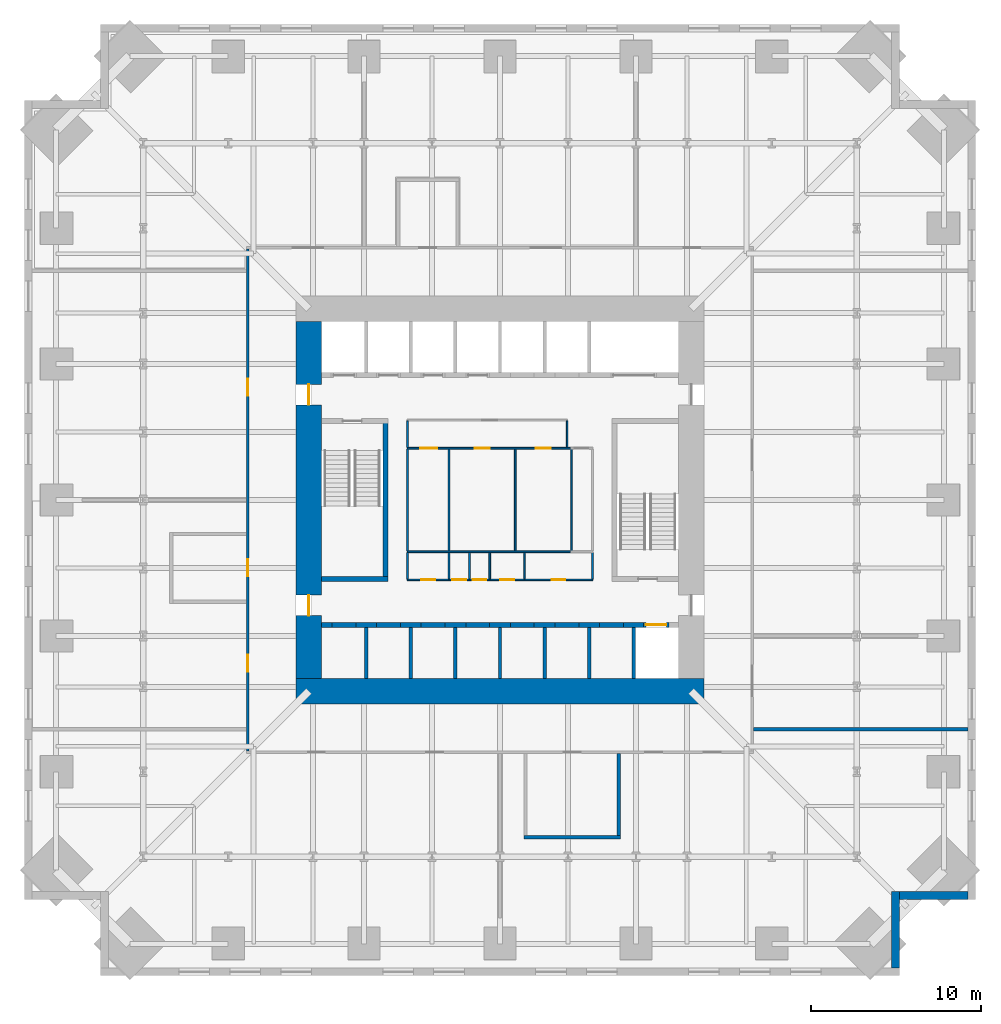
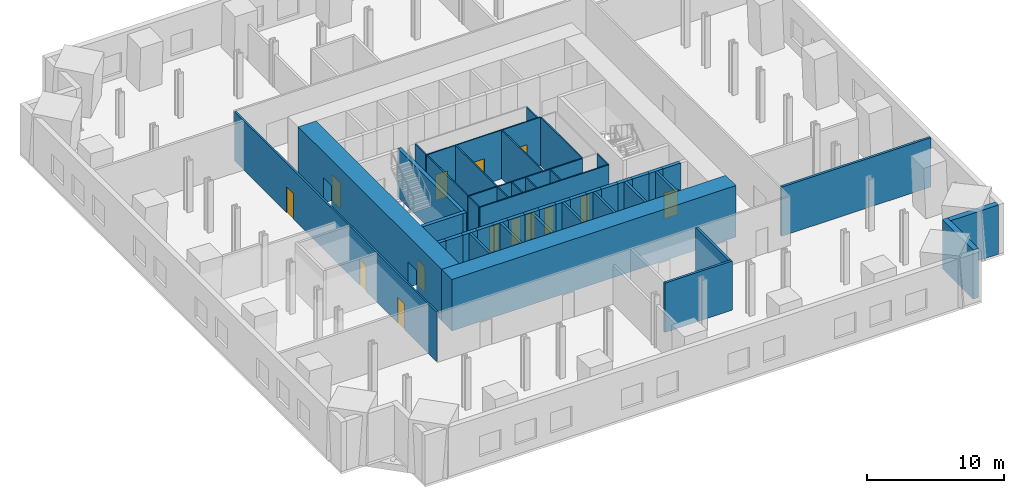
# One storey, part 4 of 8: 48 walls, 14 doors, 14 openings.
"""IFC4 building model written with IfcOpenShell, lengths in metres."""

from ifc_helpers import new_model, si_unit, direction, frame, frame_2d, origin, place, context, subcontext, project, spatial, rectangle, extrude, material, layer, layer_set, type_object, element, fill, save


model = new_model("IFC4")

# Units and contexts
model_context = context("Model", 3, precision=1e-05, world=origin(), true_north=direction((0.0, 1.0)))
body_context = subcontext(model_context, "Body", "Model", "MODEL_VIEW")
ifc_project = project(units=[si_unit("LENGTHUNIT", "METRE"), si_unit("AREAUNIT", "SQUARE_METRE"), si_unit("VOLUMEUNIT", "CUBIC_METRE"), si_unit("PLANEANGLEUNIT", "RADIAN"), si_unit("MASSUNIT", "GRAM", prefix="KILO")], contexts=[model_context])

# Site, building, storey
site_placement = place(None, origin())
site = spatial("IfcSite", under=ifc_project, at=site_placement, CompositionType="ELEMENT")
building_placement = place(site_placement, origin())
building = spatial("IfcBuilding", under=site, at=building_placement, Name="Peilmerk Tower", CompositionType="ELEMENT")
storey_placement = place(building_placement, frame((0.0, 0.0, 118.199951171875)))
storey = spatial("IfcBuildingStorey", under=building, at=storey_placement, Name="L23", CompositionType="ELEMENT", Elevation=118.199951171875)

# Walls
ifc_material_1 = material(Name="Precast concrete C45/55, board-marked finish", Category="concrete")
ifc_layer_1 = layer(ifc_material_1, 0.449951171875)
ifc_layer_set_1 = layer_set([ifc_layer_1], Name="Precast concrete C45/55, board-marked finish")
wall_type_1 = type_object("IfcWallType", Name="EW1 450 precast concrete facade wall, board-marked", PredefinedType="SOLIDWALL", material=ifc_layer_set_1)
wall_1_placement = place(storey_placement, frame((23.27490234375, -23.050048828125, 0.0), z_axis=(0.0, 0.0, 1.0), x_axis=(0.0, -1.0, 0.0)))
element("IfcWall", 1, at=wall_1_placement, inside=storey, type_object=wall_type_1, Name="Facade wall SEA L23", PredefinedType="SOLIDWALL", context=body_context, shape_type="SweptSolid", body=[
    extrude(rectangle(XDim=4.5, YDim=0.449951171875, at=frame_2d((2.25, 0.0))), origin(), (0.0, 0.0, 1.0), 4.400146484375),
])
wall_2_placement = place(storey_placement, frame((23.5, -23.27490234375, 0.0), z_axis=(0.0, 0.0, 1.0), x_axis=(1.0, 0.0, 0.0)))
element("IfcWall", 2, at=wall_2_placement, inside=storey, type_object=wall_type_1, Name="Facade wall SEB L23", PredefinedType="SOLIDWALL", context=body_context, shape_type="SweptSolid", body=[
    extrude(rectangle(XDim=4.050048828125, YDim=0.449951171875, at=frame_2d((2.02490234375, 0.0))), origin(), (0.0, 0.0, 1.0), 4.400146484375),
])

# Wall, openings, doors
ifc_material_2 = material(Name="Calcium silicate block", Category="masonry")
ifc_layer_2 = layer(ifc_material_2, 0.14990234375)
ifc_layer_set_2 = layer_set([ifc_layer_2], Name="Calcium silicate block")
wall_type_2 = type_object("IfcWallType", Name="IW1 150 corridor partition, EI 60", PredefinedType="PARTITIONING", material=ifc_layer_set_2)
wall_3_placement = place(storey_placement, frame((-14.85009765625, 14.77490234375, 0.0), z_axis=(0.0, 0.0, 1.0), x_axis=(0.0, -1.0, 0.0)))
wall_3 = element("IfcWall", 3, at=wall_3_placement, inside=storey, type_object=wall_type_2, Name="Corridor wall W L23", PredefinedType="PARTITIONING", context=body_context, shape_type="SweptSolid", body=[
    extrude(rectangle(XDim=29.5498046875, YDim=0.14990234375, at=frame_2d((14.77490234375, 0.0))), origin(), (0.0, 0.0, 1.0), 4.400146484375),
])
opening_1_placement = place(wall_3_placement, frame((23.875, 0.0, 0.0)))
opening_1 = element("IfcOpeningElement", 4, at=opening_1_placement, cuts=wall_3, Name="Opening D1", PredefinedType="OPENING", context=body_context, shape_type="SweptSolid", body=[
    extrude(rectangle(XDim=1.0, YDim=2.300048828125, at=frame_2d((0.5, 1.14990234375))), frame((0.0, 0.0849609375, 0.0), z_axis=(0.0, -1.0, 0.0), x_axis=(1.0, 0.0, 0.0)), (0.0, 0.0, 1.0), 0.169921875),
])
opening_2_placement = place(wall_3_placement, frame((7.625, 0.0, 0.0)))
opening_2 = element("IfcOpeningElement", 5, at=opening_2_placement, cuts=wall_3, Name="Opening D1", PredefinedType="OPENING", context=body_context, shape_type="SweptSolid", body=[
    extrude(rectangle(XDim=1.0, YDim=2.300048828125, at=frame_2d((0.5, 1.14990234375))), frame((0.0, 0.0849609375, 0.0), z_axis=(0.0, -1.0, 0.0), x_axis=(1.0, 0.0, 0.0)), (0.0, 0.0, 1.0), 0.169921875),
])
opening_3_placement = place(wall_3_placement, frame((18.27490234375, 0.0, 0.0)))
opening_3 = element("IfcOpeningElement", 6, at=opening_3_placement, cuts=wall_3, Name="Opening D1", PredefinedType="OPENING", context=body_context, shape_type="SweptSolid", body=[
    extrude(rectangle(XDim=1.0, YDim=2.300048828125, at=frame_2d((0.5, 1.14990234375))), frame((0.0, 0.0849609375, 0.0), z_axis=(0.0, -1.0, 0.0), x_axis=(1.0, 0.0, 0.0)), (0.0, 0.0, 1.0), 0.169921875),
])
ifc_material_3 = material(Name="Timber door in steel frame", Category="steel")
door_type_1 = type_object("IfcDoorType", Name="D1 1000x2300 room door, EI2 30", OperationType="SINGLE_SWING_LEFT", PredefinedType="DOOR", material=ifc_material_3)
door_1_placement = place(opening_1_placement, frame((1.0, 0.0, 0.0), z_axis=(0.0, 0.0, 1.0), x_axis=(-1.0, 0.0, 0.0)))
door_1 = element("IfcDoor", 7, at=door_1_placement, inside=storey, type_object=door_type_1, Name="Door Engineering office L23", OperationType="SINGLE_SWING_LEFT", OverallHeight=2.300048828125, OverallWidth=1.0, PredefinedType="DOOR", context=body_context, shape_type="SweptSolid", body=[
    extrude(rectangle(XDim=1.0, YDim=2.300048828125, at=frame_2d((0.5, 1.14990234375))), frame((0.0, 0.02490234375, 0.0), z_axis=(0.0, -1.0, 0.0), x_axis=(1.0, 0.0, 0.0)), (0.0, 0.0, 1.0), 0.050048828125),
])
fill(opening_1, door_1)
door_2_placement = place(opening_2_placement, frame((1.0, 0.0, 0.0), z_axis=(0.0, 0.0, 1.0), x_axis=(-1.0, 0.0, 0.0)))
door_2 = element("IfcDoor", 8, at=door_2_placement, inside=storey, type_object=door_type_1, Name="Door Repair workshop L23", OperationType="SINGLE_SWING_LEFT", OverallHeight=2.300048828125, OverallWidth=1.0, PredefinedType="DOOR", context=body_context, shape_type="SweptSolid", body=[
    extrude(rectangle(XDim=1.0, YDim=2.300048828125, at=frame_2d((0.5, 1.14990234375))), frame((0.0, 0.02490234375, 0.0), z_axis=(0.0, -1.0, 0.0), x_axis=(1.0, 0.0, 0.0)), (0.0, 0.0, 1.0), 0.050048828125),
])
fill(opening_2, door_2)
door_3_placement = place(opening_3_placement, frame((1.0, 0.0, 0.0), z_axis=(0.0, 0.0, 1.0), x_axis=(-1.0, 0.0, 0.0)))
door_3 = element("IfcDoor", 9, at=door_3_placement, inside=storey, type_object=door_type_1, Name="Door Meeting room L23", OperationType="SINGLE_SWING_LEFT", OverallHeight=2.300048828125, OverallWidth=1.0, PredefinedType="DOOR", context=body_context, shape_type="SweptSolid", body=[
    extrude(rectangle(XDim=1.0, YDim=2.300048828125, at=frame_2d((0.5, 1.14990234375))), frame((0.0, 0.02490234375, 0.0), z_axis=(0.0, -1.0, 0.0), x_axis=(1.0, 0.0, 0.0)), (0.0, 0.0, 1.0), 0.050048828125),
])
fill(opening_3, door_3)

# Walls
ifc_layer_3 = layer(ifc_material_2, 0.199951171875)
ifc_layer_set_3 = layer_set([ifc_layer_3], Name="Calcium silicate block")
wall_type_3 = type_object("IfcWallType", Name="IW2 200 room separating wall, EI 120", PredefinedType="PARTITIONING", material=ifc_layer_set_3)
wall_4_placement = place(storey_placement, frame((27.550048828125, -13.5, 0.0), z_axis=(0.0, 0.0, 1.0), x_axis=(-1.0, 0.0, 0.0)))
element("IfcWall", 10, at=wall_4_placement, inside=storey, type_object=wall_type_3, Name="Room separating wall SE L23", PredefinedType="PARTITIONING", context=body_context, shape_type="SweptSolid", body=[
    extrude(rectangle(XDim=12.625, YDim=0.199951171875, at=frame_2d((6.3125, 0.0))), origin(), (0.0, 0.0, 1.0), 4.400146484375),
])
wall_5_placement = place(storey_placement, frame((1.39990234375, -19.85009765625, 0.0), z_axis=(0.0, 0.0, 1.0), x_axis=(1.0, 0.0, 0.0)))
element("IfcWall", 11, at=wall_5_placement, inside=storey, type_object=wall_type_3, Name="Room separating wall Operations office L23", PredefinedType="PARTITIONING", context=body_context, shape_type="SweptSolid", body=[
    extrude(rectangle(XDim=5.7001953125, YDim=0.199951171875, at=frame_2d((2.85009765625, 0.0))), origin(), (0.0, 0.0, 1.0), 4.400146484375),
])
wall_6_placement = place(storey_placement, frame((7.0, -14.925048828125, 0.0), z_axis=(0.0, 0.0, 1.0), x_axis=(0.0, -1.0, 0.0)))
element("IfcWall", 12, at=wall_6_placement, inside=storey, type_object=wall_type_3, Name="Room separating wall Operations office L23", PredefinedType="PARTITIONING", context=body_context, shape_type="SweptSolid", body=[
    extrude(rectangle(XDim=4.824951171875, YDim=0.199951171875, at=frame_2d((2.41259765625, 0.0))), origin(), (0.0, 0.0, 1.0), 4.400146484375),
])
ifc_material_4 = material(Name="Concrete C35/45", Category="concrete")
ifc_layer_4 = layer(ifc_material_4, 0.300048828125)
ifc_layer_set_4 = layer_set([ifc_layer_4], Name="Concrete C35/45")
wall_type_4 = type_object("IfcWallType", Name="IW3 300 concrete stair enclosure wall, EI 120", PredefinedType="SOLIDWALL", material=ifc_layer_set_4)
wall_7_placement = place(storey_placement, frame((-6.75, -4.800048828125, 0.0), z_axis=(0.0, 0.0, 1.0), x_axis=(0.0, 1.0, 0.0)))
element("IfcWall", 13, at=wall_7_placement, inside=storey, type_object=wall_type_4, Name="Stair 1 enclosure L23", PredefinedType="SOLIDWALL", context=body_context, shape_type="SweptSolid", body=[
    extrude(rectangle(XDim=9.60009765625, YDim=0.300048828125, at=frame_2d((4.800048828125, 0.0))), origin(), (0.0, 0.0, 1.0), 4.35009765625),
])
wall_8_placement = place(storey_placement, frame((-6.60009765625, -4.64990234375, 0.0), z_axis=(0.0, 0.0, 1.0), x_axis=(-1.0, 0.0, 0.0)))
element("IfcWall", 14, at=wall_8_placement, inside=storey, type_object=wall_type_4, Name="Stair 1 enclosure L23", PredefinedType="SOLIDWALL", context=body_context, shape_type="SweptSolid", body=[
    extrude(rectangle(XDim=3.89990234375, YDim=0.300048828125, at=frame_2d((1.949951171875, 0.0))), origin(), (0.0, 0.0, 1.0), 4.35009765625),
])

# Wall, openings, doors
ifc_material_5 = material(Name="Plasterboard on steel studs", Category="steel")
ifc_layer_5 = layer(ifc_material_5, 0.10009765625)
ifc_layer_set_5 = layer_set([ifc_layer_5], Name="Plasterboard on steel studs")
wall_type_5 = type_object("IfcWallType", Name="IW4 100 WC partition", PredefinedType="PARTITIONING", material=ifc_layer_set_5)
wall_9_placement = place(storey_placement, frame((-5.449951171875, 3.050048828125, 0.0), z_axis=(0.0, 0.0, 1.0), x_axis=(1.0, 0.0, 0.0)))
wall_9 = element("IfcWall", 15, at=wall_9_placement, inside=storey, type_object=wall_type_5, Name="WC wall L23", PredefinedType="PARTITIONING", context=body_context, shape_type="SweptSolid", body=[
    extrude(rectangle(XDim=9.599853515625, YDim=0.10009765625, at=frame_2d((4.7998046875, 0.0))), origin(), (0.0, 0.0, 1.0), 4.35009765625),
])
opening_4_placement = place(wall_9_placement, frame((0.75, 0.0, 0.0)))
opening_4 = element("IfcOpeningElement", 16, at=opening_4_placement, cuts=wall_9, Name="Opening D6", PredefinedType="OPENING", context=body_context, shape_type="SweptSolid", body=[
    extrude(rectangle(XDim=1.0, YDim=2.300048828125, at=frame_2d((0.5, 1.14990234375))), frame((0.0, 0.06005859375, 0.0), z_axis=(0.0, -1.0, 0.0), x_axis=(1.0, 0.0, 0.0)), (0.0, 0.0, 1.0), 0.1201171875),
])
opening_5_placement = place(wall_9_placement, frame((3.949951171875, 0.0, 0.0)))
opening_5 = element("IfcOpeningElement", 17, at=opening_5_placement, cuts=wall_9, Name="Opening D5", PredefinedType="OPENING", context=body_context, shape_type="SweptSolid", body=[
    extrude(rectangle(XDim=0.89990234375, YDim=2.300048828125, at=frame_2d((0.449951171875, 1.14990234375))), frame((0.0, 0.06005859375, 0.0), z_axis=(0.0, -1.0, 0.0), x_axis=(1.0, 0.0, 0.0)), (0.0, 0.0, 1.0), 0.1201171875),
])
opening_6_placement = place(wall_9_placement, frame((7.550048828125, 0.0, 0.0)))
opening_6 = element("IfcOpeningElement", 18, at=opening_6_placement, cuts=wall_9, Name="Opening D5", PredefinedType="OPENING", context=body_context, shape_type="SweptSolid", body=[
    extrude(rectangle(XDim=0.89990234375, YDim=2.300048828125, at=frame_2d((0.449951171875, 1.14990234375))), frame((0.0, 0.06005859375, 0.0), z_axis=(0.0, -1.0, 0.0), x_axis=(1.0, 0.0, 0.0)), (0.0, 0.0, 1.0), 0.1201171875),
])
door_type_2 = type_object("IfcDoorType", Name="D5 900x2300 WC door", OperationType="SINGLE_SWING_LEFT", PredefinedType="DOOR", material=ifc_material_3)
door_4_placement = place(opening_5_placement, frame((0.89990234375, 0.0, 0.0), z_axis=(0.0, 0.0, 1.0), x_axis=(-1.0, 0.0, 0.0)))
door_4 = element("IfcDoor", 19, at=door_4_placement, inside=storey, type_object=door_type_2, Name="Female toilets door L23", OperationType="SINGLE_SWING_LEFT", OverallHeight=2.300048828125, OverallWidth=0.89990234375, PredefinedType="DOOR", context=body_context, shape_type="SweptSolid", body=[
    extrude(rectangle(XDim=0.89990234375, YDim=2.300048828125, at=frame_2d((0.449951171875, 1.14990234375))), frame((0.0, 0.02490234375, 0.0), z_axis=(0.0, -1.0, 0.0), x_axis=(1.0, 0.0, 0.0)), (0.0, 0.0, 1.0), 0.050048828125),
])
fill(opening_5, door_4)
door_5_placement = place(opening_6_placement, frame((0.89990234375, 0.0, 0.0), z_axis=(0.0, 0.0, 1.0), x_axis=(-1.0, 0.0, 0.0)))
door_5 = element("IfcDoor", 20, at=door_5_placement, inside=storey, type_object=door_type_2, Name="Male toilets door L23", OperationType="SINGLE_SWING_LEFT", OverallHeight=2.300048828125, OverallWidth=0.89990234375, PredefinedType="DOOR", context=body_context, shape_type="SweptSolid", body=[
    extrude(rectangle(XDim=0.89990234375, YDim=2.300048828125, at=frame_2d((0.449951171875, 1.14990234375))), frame((0.0, 0.02490234375, 0.0), z_axis=(0.0, -1.0, 0.0), x_axis=(1.0, 0.0, 0.0)), (0.0, 0.0, 1.0), 0.050048828125),
])
fill(opening_6, door_5)
door_type_3 = type_object("IfcDoorType", Name="D6 1000x2300 accessible WC door", OperationType="SLIDING_TO_LEFT", PredefinedType="DOOR", material=ifc_material_3)
door_6_placement = place(opening_4_placement, frame((1.0, 0.0, 0.0), z_axis=(0.0, 0.0, 1.0), x_axis=(-1.0, 0.0, 0.0)))
door_6 = element("IfcDoor", 21, at=door_6_placement, inside=storey, type_object=door_type_3, Name="Accessible WC door L23", OperationType="SLIDING_TO_LEFT", OverallHeight=2.300048828125, OverallWidth=1.0, PredefinedType="DOOR", context=body_context, shape_type="SweptSolid", body=[
    extrude(rectangle(XDim=1.0, YDim=2.300048828125, at=frame_2d((0.5, 1.14990234375))), frame((0.0, 0.02490234375, 0.0), z_axis=(0.0, -1.0, 0.0), x_axis=(1.0, 0.0, 0.0)), (0.0, 0.0, 1.0), 0.050048828125),
])
fill(opening_4, door_6)

# Walls
wall_10_placement = place(storey_placement, frame((4.14990234375, -3.050048828125, 0.0), z_axis=(0.0, 0.0, 1.0), x_axis=(-1.0, 0.0, 0.0)))
element("IfcWall", 22, at=wall_10_placement, inside=storey, type_object=wall_type_5, Name="WC wall L23", PredefinedType="PARTITIONING", context=body_context, shape_type="SweptSolid", body=[
    extrude(rectangle(XDim=9.599853515625, YDim=0.10009765625, at=frame_2d((4.7998046875, 0.0))), origin(), (0.0, 0.0, 1.0), 4.35009765625),
])
for number, where, z_axis, x_axis, name in (
    (23, (-5.449951171875, -3.0, 0.0), (0.0, 0.0, 1.0), (0.0, 1.0, 0.0), "WC wall L23"),
    (24, (-3.0, -3.0, 0.0), (0.0, 0.0, 1.0), (0.0, 1.0, 0.0), "WC wall L23"),
    (25, (0.89990234375, -3.0, 0.0), (0.0, 0.0, 1.0), (0.0, 1.0, 0.0), "WC wall L23"),
):
    element("IfcWall", number, at=place(storey_placement, frame(where, z_axis=z_axis, x_axis=x_axis)), inside=storey, type_object=wall_type_5, Name=name, PredefinedType="PARTITIONING", context=body_context, shape_type="SweptSolid", body=[
        extrude(rectangle(XDim=6.0, YDim=0.10009765625, at=frame_2d((3.0, 0.0))), origin(), (0.0, 0.0, 1.0), 4.35009765625),
    ])
ifc_material_6 = material(Name="Calcium silicate board on steel studs", Category="steel")
ifc_layer_6 = layer(ifc_material_6, 0.10009765625)
ifc_layer_set_6 = layer_set([ifc_layer_6], Name="Calcium silicate board on steel studs")
wall_type_6 = type_object("IfcWallType", Name="IW5 100 riser enclosure wall, EI 60", PredefinedType="PARTITIONING", material=ifc_layer_set_6)
wall_11_placement = place(storey_placement, frame((4.199951171875, -3.0, 0.0), z_axis=(0.0, 0.0, 1.0), x_axis=(0.0, 1.0, 0.0)))
element("IfcWall", 26, at=wall_11_placement, inside=storey, type_object=wall_type_6, Name="Riser wall L23", PredefinedType="PARTITIONING", context=body_context, shape_type="SweptSolid", body=[
    extrude(rectangle(XDim=6.0, YDim=0.10009765625, at=frame_2d((3.0, 0.0))), origin(), (0.0, 0.0, 1.0), 4.35009765625),
])

# Wall, openings, doors
wall_12_placement = place(storey_placement, frame((5.449951171875, -4.699951171875, 0.0), z_axis=(0.0, 0.0, 1.0), x_axis=(-1.0, 0.0, 0.0)))
wall_12 = element("IfcWall", 27, at=wall_12_placement, inside=storey, type_object=wall_type_6, Name="Riser wall L23", PredefinedType="PARTITIONING", context=body_context, shape_type="SweptSolid", body=[
    extrude(rectangle(XDim=10.89990234375, YDim=0.10009765625, at=frame_2d((5.449951171875, 0.0))), origin(), (0.0, 0.0, 1.0), 4.35009765625),
])
opening_7_placement = place(wall_12_placement, frame((9.27490234375, 0.0, 0.0)))
opening_7 = element("IfcOpeningElement", 28, at=opening_7_placement, cuts=wall_12, Name="Opening D7", PredefinedType="OPENING", context=body_context, shape_type="SweptSolid", body=[
    extrude(rectangle(XDim=0.800048828125, YDim=2.300048828125, at=frame_2d((0.39990234375, 1.14990234375))), frame((0.0, 0.06005859375, 0.0), z_axis=(0.0, -1.0, 0.0), x_axis=(1.0, 0.0, 0.0)), (0.0, 0.0, 1.0), 0.1201171875),
])
opening_8_placement = place(wall_12_placement, frame((7.449951171875, 0.0, 0.0)))
opening_8 = element("IfcOpeningElement", 29, at=opening_8_placement, cuts=wall_12, Name="Opening D7", PredefinedType="OPENING", context=body_context, shape_type="SweptSolid", body=[
    extrude(rectangle(XDim=0.800048828125, YDim=2.300048828125, at=frame_2d((0.39990234375, 1.14990234375))), frame((0.0, 0.06005859375, 0.0), z_axis=(0.0, -1.0, 0.0), x_axis=(1.0, 0.0, 0.0)), (0.0, 0.0, 1.0), 0.1201171875),
])
opening_9_placement = place(wall_12_placement, frame((6.25, 0.0, 0.0)))
opening_9 = element("IfcOpeningElement", 30, at=opening_9_placement, cuts=wall_12, Name="Opening D7", PredefinedType="OPENING", context=body_context, shape_type="SweptSolid", body=[
    extrude(rectangle(XDim=0.800048828125, YDim=2.300048828125, at=frame_2d((0.39990234375, 1.14990234375))), frame((0.0, 0.06005859375, 0.0), z_axis=(0.0, -1.0, 0.0), x_axis=(1.0, 0.0, 0.0)), (0.0, 0.0, 1.0), 0.1201171875),
])
opening_10_placement = place(wall_12_placement, frame((4.625, 0.0, 0.0)))
opening_10 = element("IfcOpeningElement", 31, at=opening_10_placement, cuts=wall_12, Name="Opening D7", PredefinedType="OPENING", context=body_context, shape_type="SweptSolid", body=[
    extrude(rectangle(XDim=0.800048828125, YDim=2.300048828125, at=frame_2d((0.39990234375, 1.14990234375))), frame((0.0, 0.06005859375, 0.0), z_axis=(0.0, -1.0, 0.0), x_axis=(1.0, 0.0, 0.0)), (0.0, 0.0, 1.0), 0.1201171875),
])
opening_11_placement = place(wall_12_placement, frame((1.60009765625, 0.0, 0.0)))
opening_11 = element("IfcOpeningElement", 32, at=opening_11_placement, cuts=wall_12, Name="Opening D7", PredefinedType="OPENING", context=body_context, shape_type="SweptSolid", body=[
    extrude(rectangle(XDim=0.800048828125, YDim=2.300048828125, at=frame_2d((0.39990234375, 1.14990234375))), frame((0.0, 0.06005859375, 0.0), z_axis=(0.0, -1.0, 0.0), x_axis=(1.0, 0.0, 0.0)), (0.0, 0.0, 1.0), 0.1201171875),
])
ifc_material_7 = material(Name="Steel door in steel frame", Category="steel")
door_type_4 = type_object("IfcDoorType", Name="D7 800x2300 riser access door, EI2 60", OperationType="SINGLE_SWING_RIGHT", PredefinedType="DOOR", material=ifc_material_7)
door_7_placement = place(opening_7_placement, frame((0.800048828125, 0.0, 0.0), z_axis=(0.0, 0.0, 1.0), x_axis=(-1.0, 0.0, 0.0)))
door_7 = element("IfcDoor", 33, at=door_7_placement, inside=storey, type_object=door_type_4, Name="Cleaner's cupboard door L23", OperationType="SINGLE_SWING_RIGHT", OverallHeight=2.300048828125, OverallWidth=0.800048828125, PredefinedType="DOOR", context=body_context, shape_type="SweptSolid", body=[
    extrude(rectangle(XDim=0.800048828125, YDim=2.300048828125, at=frame_2d((0.39990234375, 1.14990234375))), frame((0.0, 0.02490234375, 0.0), z_axis=(0.0, -1.0, 0.0), x_axis=(1.0, 0.0, 0.0)), (0.0, 0.0, 1.0), 0.050048828125),
])
fill(opening_7, door_7)
door_8_placement = place(opening_8_placement, frame((0.800048828125, 0.0, 0.0), z_axis=(0.0, 0.0, 1.0), x_axis=(-1.0, 0.0, 0.0)))
door_8 = element("IfcDoor", 34, at=door_8_placement, inside=storey, type_object=door_type_4, Name="Electrical riser door L23", OperationType="SINGLE_SWING_RIGHT", OverallHeight=2.300048828125, OverallWidth=0.800048828125, PredefinedType="DOOR", context=body_context, shape_type="SweptSolid", body=[
    extrude(rectangle(XDim=0.800048828125, YDim=2.300048828125, at=frame_2d((0.39990234375, 1.14990234375))), frame((0.0, 0.02490234375, 0.0), z_axis=(0.0, -1.0, 0.0), x_axis=(1.0, 0.0, 0.0)), (0.0, 0.0, 1.0), 0.050048828125),
])
fill(opening_8, door_8)
door_9_placement = place(opening_9_placement, frame((0.800048828125, 0.0, 0.0), z_axis=(0.0, 0.0, 1.0), x_axis=(-1.0, 0.0, 0.0)))
door_9 = element("IfcDoor", 35, at=door_9_placement, inside=storey, type_object=door_type_4, Name="Data riser door L23", OperationType="SINGLE_SWING_RIGHT", OverallHeight=2.300048828125, OverallWidth=0.800048828125, PredefinedType="DOOR", context=body_context, shape_type="SweptSolid", body=[
    extrude(rectangle(XDim=0.800048828125, YDim=2.300048828125, at=frame_2d((0.39990234375, 1.14990234375))), frame((0.0, 0.02490234375, 0.0), z_axis=(0.0, -1.0, 0.0), x_axis=(1.0, 0.0, 0.0)), (0.0, 0.0, 1.0), 0.050048828125),
])
fill(opening_9, door_9)
door_10_placement = place(opening_10_placement, frame((0.800048828125, 0.0, 0.0), z_axis=(0.0, 0.0, 1.0), x_axis=(-1.0, 0.0, 0.0)))
door_10 = element("IfcDoor", 36, at=door_10_placement, inside=storey, type_object=door_type_4, Name="Electrical room door L23", OperationType="SINGLE_SWING_RIGHT", OverallHeight=2.300048828125, OverallWidth=0.800048828125, PredefinedType="DOOR", context=body_context, shape_type="SweptSolid", body=[
    extrude(rectangle(XDim=0.800048828125, YDim=2.300048828125, at=frame_2d((0.39990234375, 1.14990234375))), frame((0.0, 0.02490234375, 0.0), z_axis=(0.0, -1.0, 0.0), x_axis=(1.0, 0.0, 0.0)), (0.0, 0.0, 1.0), 0.050048828125),
])
fill(opening_10, door_10)
door_11_placement = place(opening_11_placement, frame((0.800048828125, 0.0, 0.0), z_axis=(0.0, 0.0, 1.0), x_axis=(-1.0, 0.0, 0.0)))
door_11 = element("IfcDoor", 37, at=door_11_placement, inside=storey, type_object=door_type_4, Name="Comms room door L23", OperationType="SINGLE_SWING_RIGHT", OverallHeight=2.300048828125, OverallWidth=0.800048828125, PredefinedType="DOOR", context=body_context, shape_type="SweptSolid", body=[
    extrude(rectangle(XDim=0.800048828125, YDim=2.300048828125, at=frame_2d((0.39990234375, 1.14990234375))), frame((0.0, 0.02490234375, 0.0), z_axis=(0.0, -1.0, 0.0), x_axis=(1.0, 0.0, 0.0)), (0.0, 0.0, 1.0), 0.050048828125),
])
fill(opening_11, door_11)

# Walls
for number, where, z_axis, x_axis, name in (
    (38, (-5.449951171875, -3.10009765625, 0.0), (0.0, 0.0, 1.0), (0.0, -1.0, 0.0), "Riser wall L23"),
    (39, (5.449951171875, -3.10009765625, 0.0), (0.0, 0.0, 1.0), (0.0, -1.0, 0.0), "Riser wall L23"),
    (40, (-3.0, -3.10009765625, 0.0), (0.0, 0.0, 1.0), (0.0, -1.0, 0.0), "Riser wall L23"),
    (41, (-1.800048828125, -3.10009765625, 0.0), (0.0, 0.0, 1.0), (0.0, -1.0, 0.0), "Riser wall L23"),
    (42, (-0.60009765625, -3.10009765625, 0.0), (0.0, 0.0, 1.0), (0.0, -1.0, 0.0), "Riser wall L23"),
    (43, (1.449951171875, -3.10009765625, 0.0), (0.0, 0.0, 1.0), (0.0, -1.0, 0.0), "Riser wall L23"),
):
    element("IfcWall", number, at=place(storey_placement, frame(where, z_axis=z_axis, x_axis=x_axis)), inside=storey, type_object=wall_type_6, Name=name, PredefinedType="PARTITIONING", context=body_context, shape_type="SweptSolid", body=[
        extrude(rectangle(XDim=1.5498046875, YDim=0.10009765625, at=frame_2d((0.77490234375, 0.0))), origin(), (0.0, 0.0, 1.0), 4.35009765625),
    ])
ifc_material_8 = material(Name="Fire-resisting plasterboard on steel studs", Category="steel")
ifc_layer_7 = layer(ifc_material_8, 0.10009765625)
ifc_layer_set_7 = layer_set([ifc_layer_7], Name="Fire-resisting plasterboard on steel studs")
wall_type_7 = type_object("IfcWallType", Name="IW9 100 WC lobby wall, EI 30", PredefinedType="PARTITIONING", material=ifc_layer_set_7)
for number, where, z_axis, x_axis, name in (
    (44, (-5.449951171875, 3.10009765625, 0.0), (0.0, 0.0, 1.0), (0.0, 1.0, 0.0), "WC lobby wall L23"),
    (45, (3.949951171875, 3.10009765625, 0.0), (0.0, 0.0, 1.0), (0.0, 1.0, 0.0), "WC lobby wall L23"),
):
    element("IfcWall", number, at=place(storey_placement, frame(where, z_axis=z_axis, x_axis=x_axis)), inside=storey, type_object=wall_type_7, Name=name, PredefinedType="PARTITIONING", context=body_context, shape_type="SweptSolid", body=[
        extrude(rectangle(XDim=1.5498046875, YDim=0.10009765625, at=frame_2d((0.77490234375, 0.0))), origin(), (0.0, 0.0, 1.0), 4.35009765625),
    ])
ifc_layer_8 = layer(ifc_material_2, 0.199951171875)
ifc_layer_set_8 = layer_set([ifc_layer_8], Name="Calcium silicate block")
wall_type_8 = type_object("IfcWallType", Name="SH1 200 shaft dividing wall, EI 120", PredefinedType="PARTITIONING", material=ifc_layer_set_8)
for number, where, z_axis, x_axis, name in (
    (46, (-7.875, -10.5, 0.0), (0.0, 0.0, 1.0), (0.0, 1.0, 0.0), "Shaft wall S C4 L23"),
    (47, (-5.25, -10.5, 0.0), (0.0, 0.0, 1.0), (0.0, 1.0, 0.0), "Shaft wall S C3 L23"),
    (48, (-2.625, -10.5, 0.0), (0.0, 0.0, 1.0), (0.0, 1.0, 0.0), "Shaft wall S C2 L23"),
    (49, (0.0, -10.5, 0.0), (0.0, 0.0, 1.0), (0.0, 1.0, 0.0), "Shaft wall S C1 L23"),
    (50, (2.625, -10.5, 0.0), (0.0, 0.0, 1.0), (0.0, 1.0, 0.0), "Shaft wall S B3 L23"),
    (51, (5.25, -10.5, 0.0), (0.0, 0.0, 1.0), (0.0, 1.0, 0.0), "Shaft wall S B2 L23"),
    (52, (7.875, -10.5, 0.0), (0.0, 0.0, 1.0), (0.0, 1.0, 0.0), "Shaft wall S B1 L23"),
):
    element("IfcWall", number, at=place(storey_placement, frame(where, z_axis=z_axis, x_axis=x_axis)), inside=storey, type_object=wall_type_8, Name=name, PredefinedType="PARTITIONING", context=body_context, shape_type="SweptSolid", body=[
        extrude(rectangle(XDim=3.0, YDim=0.199951171875, at=frame_2d((1.5, 0.0))), origin(), (0.0, 0.0, 1.0), 4.60009765625),
    ])
ifc_layer_9 = layer(ifc_material_2, 0.300048828125)
ifc_layer_set_9 = layer_set([ifc_layer_9], Name="Calcium silicate block")
wall_type_9 = type_object("IfcWallType", Name="SH2 300 lift landing door panel, EI 120", PredefinedType="PARTITIONING", material=ifc_layer_set_9)
for number, where, z_axis, x_axis, name in (
    (53, (-9.887451171875, -7.35009765625, 0.0), (0.0, 0.0, 1.0), (1.0, 0.0, 0.0), "Lift door panel S C4 L23"),
    (54, (-7.262451171875, -7.35009765625, 0.0), (0.0, 0.0, 1.0), (1.0, 0.0, 0.0), "Lift door panel S C3 L23"),
    (55, (-4.637451171875, -7.35009765625, 0.0), (0.0, 0.0, 1.0), (1.0, 0.0, 0.0), "Lift door panel S C2 L23"),
    (56, (-2.012451171875, -7.35009765625, 0.0), (0.0, 0.0, 1.0), (1.0, 0.0, 0.0), "Lift door panel S C1 L23"),
    (57, (0.612548828125, -7.35009765625, 0.0), (0.0, 0.0, 1.0), (1.0, 0.0, 0.0), "Lift door panel S B3 L23"),
    (58, (3.237548828125, -7.35009765625, 0.0), (0.0, 0.0, 1.0), (1.0, 0.0, 0.0), "Lift door panel S B2 L23"),
    (59, (5.862548828125, -7.35009765625, 0.0), (0.0, 0.0, 1.0), (1.0, 0.0, 0.0), "Lift door panel S B1 L23"),
):
    element("IfcWall", number, at=place(storey_placement, frame(where, z_axis=z_axis, x_axis=x_axis)), inside=storey, type_object=wall_type_9, Name=name, PredefinedType="PARTITIONING", context=body_context, shape_type="SweptSolid", body=[
        extrude(rectangle(XDim=1.39990234375, YDim=0.300048828125, at=frame_2d((0.699951171875, 0.0))), origin(), (0.0, 0.0, 1.0), 4.60009765625),
    ])

# Wall, opening, door
wall_13_placement = place(storey_placement, frame((8.4375, -7.35009765625, 0.0), z_axis=(0.0, 0.0, 1.0), x_axis=(1.0, 0.0, 0.0)))
wall_13 = element("IfcWall", 60, at=wall_13_placement, inside=storey, type_object=wall_type_9, Name="Lift door panel S FL2 L23", PredefinedType="PARTITIONING", context=body_context, shape_type="SweptSolid", body=[
    extrude(rectangle(XDim=1.5, YDim=0.300048828125, at=frame_2d((0.75, 0.0))), origin(), (0.0, 0.0, 1.0), 4.60009765625),
])
opening_12_placement = place(wall_13_placement, frame((0.14990234375, 0.0, 0.0)))
opening_12 = element("IfcOpeningElement", 61, at=opening_12_placement, cuts=wall_13, Name="Opening LD2", PredefinedType="OPENING", context=body_context, shape_type="SweptSolid", body=[
    extrude(rectangle(XDim=1.199951171875, YDim=2.300048828125, at=frame_2d((0.60009765625, 1.14990234375))), frame((0.0, 0.159912109375, 0.0), z_axis=(0.0, -1.0, 0.0), x_axis=(1.0, 0.0, 0.0)), (0.0, 0.0, 1.0), 0.320068359375),
])
ifc_material_9 = material(Name="Stainless steel landing door", Category="steel")
door_type_5 = type_object("IfcDoorType", Name="LD2 1200x2300 lift landing door, sliding, EI2 60", OperationType="SLIDING_TO_LEFT", PredefinedType="DOOR", material=ifc_material_9)
door_12_placement = place(opening_12_placement, origin())
door_12 = element("IfcDoor", 62, at=door_12_placement, inside=storey, type_object=door_type_5, Name="Lift landing door FL2 L23", OperationType="SLIDING_TO_LEFT", OverallHeight=2.300048828125, OverallWidth=1.199951171875, PredefinedType="DOOR", context=body_context, shape_type="SweptSolid", body=[
    extrude(rectangle(XDim=1.199951171875, YDim=2.300048828125, at=frame_2d((0.60009765625, 1.14990234375))), frame((0.0, 0.02490234375, 0.0), z_axis=(0.0, -1.0, 0.0), x_axis=(1.0, 0.0, 0.0)), (0.0, 0.0, 1.0), 0.050048828125),
])
fill(opening_12, door_12)

# Wall
ifc_material_10 = material(Name="Concrete C55/67", Category="concrete")
ifc_layer_10 = layer(ifc_material_10, 1.5)
ifc_layer_set_10 = layer_set([ifc_layer_10], Name="Concrete C55/67")
wall_type_10 = type_object("IfcWallType", Name="SW1 1500 core wall", PredefinedType="SHEAR", material=ifc_layer_set_10)
wall_14_placement = place(storey_placement, frame((12.0, -11.25, 0.0), z_axis=(0.0, 0.0, 1.0), x_axis=(-1.0, 0.0, 0.0)))
element("IfcWall", 63, at=wall_14_placement, inside=storey, type_object=wall_type_10, Name="Core wall S L23", PredefinedType="SHEAR", context=body_context, shape_type="SweptSolid", body=[
    extrude(rectangle(XDim=24.0, YDim=1.5, at=frame_2d((12.0, 0.0))), origin(), (0.0, 0.0, 1.0), 4.60009765625),
])

# Wall, openings, doors
wall_15_placement = place(storey_placement, frame((-11.25, -10.5, 0.0), z_axis=(0.0, 0.0, 1.0), x_axis=(0.0, 1.0, 0.0)))
wall_15 = element("IfcWall", 64, at=wall_15_placement, inside=storey, type_object=wall_type_10, Name="Core wall W L23", PredefinedType="SHEAR", context=body_context, shape_type="SweptSolid", body=[
    extrude(rectangle(XDim=21.0, YDim=1.5, at=frame_2d((10.5, 0.0))), origin(), (0.0, 0.0, 1.0), 4.60009765625),
])
opening_13_placement = place(wall_15_placement, frame((16.10009765625, 0.0, 0.0)))
opening_13 = element("IfcOpeningElement", 65, at=opening_13_placement, cuts=wall_15, Name="Opening D3", PredefinedType="OPENING", context=body_context, shape_type="SweptSolid", body=[
    extrude(rectangle(XDim=1.199951171875, YDim=2.300048828125, at=frame_2d((0.60009765625, 1.14990234375))), frame((0.0, 0.760009765625, 0.0), z_axis=(0.0, -1.0, 0.0), x_axis=(1.0, 0.0, 0.0)), (0.0, 0.0, 1.0), 1.52001953125),
])
opening_14_placement = place(wall_15_placement, frame((3.699951171875, 0.0, 0.0)))
opening_14 = element("IfcOpeningElement", 66, at=opening_14_placement, cuts=wall_15, Name="Opening D3", PredefinedType="OPENING", context=body_context, shape_type="SweptSolid", body=[
    extrude(rectangle(XDim=1.199951171875, YDim=2.300048828125, at=frame_2d((0.60009765625, 1.14990234375))), frame((0.0, 0.760009765625, 0.0), z_axis=(0.0, -1.0, 0.0), x_axis=(1.0, 0.0, 0.0)), (0.0, 0.0, 1.0), 1.52001953125),
])
door_type_6 = type_object("IfcDoorType", Name="D3 1200x2300 core door, EI2 60", OperationType="SINGLE_SWING_LEFT", PredefinedType="DOOR", material=ifc_material_7)
door_13_placement = place(opening_13_placement, frame((1.199951171875, 0.0, 0.0), z_axis=(0.0, 0.0, 1.0), x_axis=(-1.0, 0.0, 0.0)))
door_13 = element("IfcDoor", 67, at=door_13_placement, inside=storey, type_object=door_type_6, Name="Core door L23", OperationType="SINGLE_SWING_LEFT", OverallHeight=2.300048828125, OverallWidth=1.199951171875, PredefinedType="DOOR", context=body_context, shape_type="SweptSolid", body=[
    extrude(rectangle(XDim=1.199951171875, YDim=2.300048828125, at=frame_2d((0.60009765625, 1.14990234375))), frame((0.0, 0.02490234375, 0.0), z_axis=(0.0, -1.0, 0.0), x_axis=(1.0, 0.0, 0.0)), (0.0, 0.0, 1.0), 0.050048828125),
])
fill(opening_13, door_13)
door_14_placement = place(opening_14_placement, frame((1.199951171875, 0.0, 0.0), z_axis=(0.0, 0.0, 1.0), x_axis=(-1.0, 0.0, 0.0)))
door_14 = element("IfcDoor", 68, at=door_14_placement, inside=storey, type_object=door_type_6, Name="Core door L23", OperationType="SINGLE_SWING_LEFT", OverallHeight=2.300048828125, OverallWidth=1.199951171875, PredefinedType="DOOR", context=body_context, shape_type="SweptSolid", body=[
    extrude(rectangle(XDim=1.199951171875, YDim=2.300048828125, at=frame_2d((0.60009765625, 1.14990234375))), frame((0.0, 0.02490234375, 0.0), z_axis=(0.0, -1.0, 0.0), x_axis=(1.0, 0.0, 0.0)), (0.0, 0.0, 1.0), 0.050048828125),
])
fill(opening_14, door_14)

# Walls
ifc_layer_11 = layer(ifc_material_10, 0.300048828125)
ifc_layer_set_11 = layer_set([ifc_layer_11], Name="Concrete C55/67")
wall_type_11 = type_object("IfcWallType", Name="SW2 300 lift bank pier", PredefinedType="SHEAR", material=ifc_layer_set_11)
wall_16_placement = place(storey_placement, frame((-10.5, -7.35009765625, 0.0), z_axis=(0.0, 0.0, 1.0), x_axis=(1.0, 0.0, 0.0)))
element("IfcWall", 69, at=wall_16_placement, inside=storey, type_object=wall_type_11, Name="Lift bank pier S L23", PredefinedType="SHEAR", context=body_context, shape_type="SweptSolid", body=[
    extrude(rectangle(XDim=0.612548828125, YDim=0.300048828125, at=frame_2d((0.30615234375, 0.0))), origin(), (0.0, 0.0, 1.0), 4.60009765625),
])
for number, where, z_axis, x_axis, name in (
    (70, (-8.487548828125, -7.35009765625, 0.0), (0.0, 0.0, 1.0), (1.0, 0.0, 0.0), "Lift bank pier S L23"),
    (71, (-5.862548828125, -7.35009765625, 0.0), (0.0, 0.0, 1.0), (1.0, 0.0, 0.0), "Lift bank pier S L23"),
    (72, (-3.237548828125, -7.35009765625, 0.0), (0.0, 0.0, 1.0), (1.0, 0.0, 0.0), "Lift bank pier S L23"),
    (73, (-0.612548828125, -7.35009765625, 0.0), (0.0, 0.0, 1.0), (1.0, 0.0, 0.0), "Lift bank pier S L23"),
    (74, (2.012451171875, -7.35009765625, 0.0), (0.0, 0.0, 1.0), (1.0, 0.0, 0.0), "Lift bank pier S L23"),
    (75, (4.637451171875, -7.35009765625, 0.0), (0.0, 0.0, 1.0), (1.0, 0.0, 0.0), "Lift bank pier S L23"),
):
    element("IfcWall", number, at=place(storey_placement, frame(where, z_axis=z_axis, x_axis=x_axis)), inside=storey, type_object=wall_type_11, Name=name, PredefinedType="SHEAR", context=body_context, shape_type="SweptSolid", body=[
        extrude(rectangle(XDim=1.22509765625, YDim=0.300048828125, at=frame_2d((0.612548828125, 0.0))), origin(), (0.0, 0.0, 1.0), 4.60009765625),
    ])
wall_17_placement = place(storey_placement, frame((7.262451171875, -7.35009765625, 0.0), z_axis=(0.0, 0.0, 1.0), x_axis=(1.0, 0.0, 0.0)))
element("IfcWall", 76, at=wall_17_placement, inside=storey, type_object=wall_type_11, Name="Lift bank pier S L23", PredefinedType="SHEAR", context=body_context, shape_type="SweptSolid", body=[
    extrude(rectangle(XDim=1.175048828125, YDim=0.300048828125, at=frame_2d((0.58740234375, 0.0))), origin(), (0.0, 0.0, 1.0), 4.60009765625),
])

save(model, "model.ifc")
